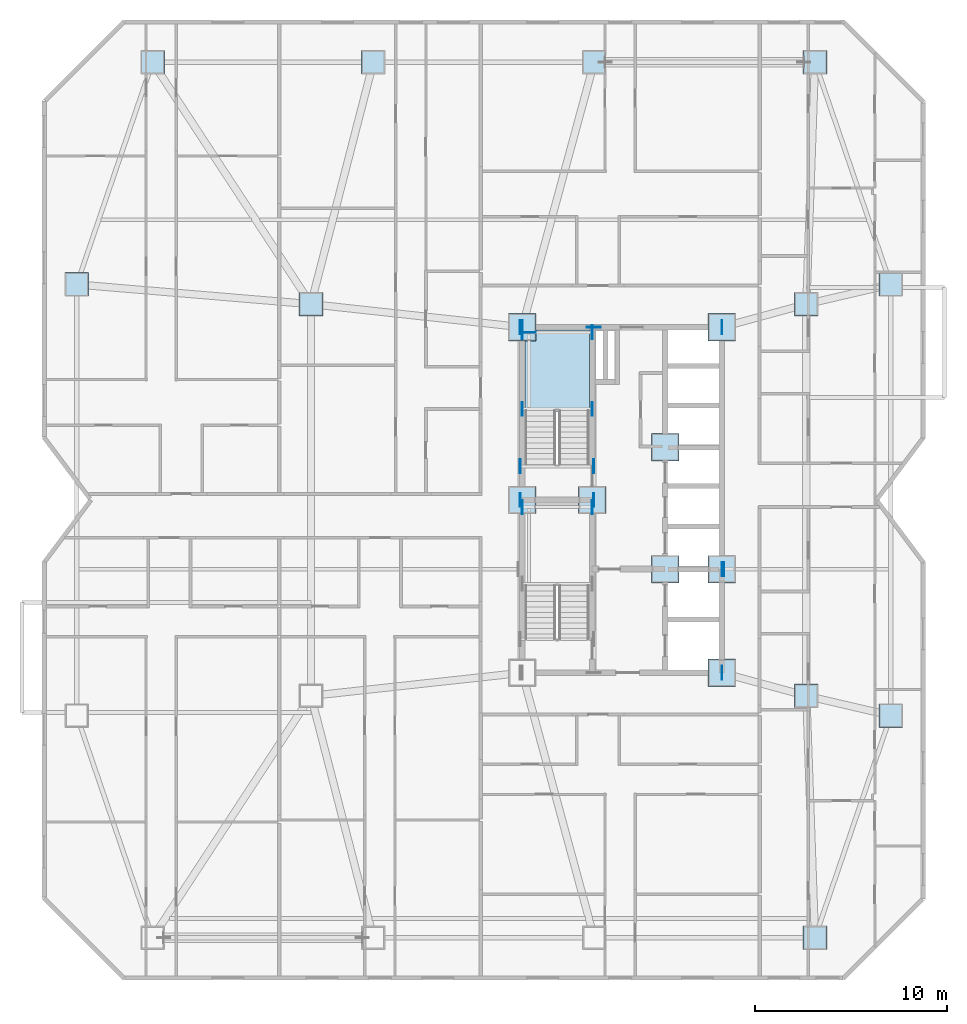
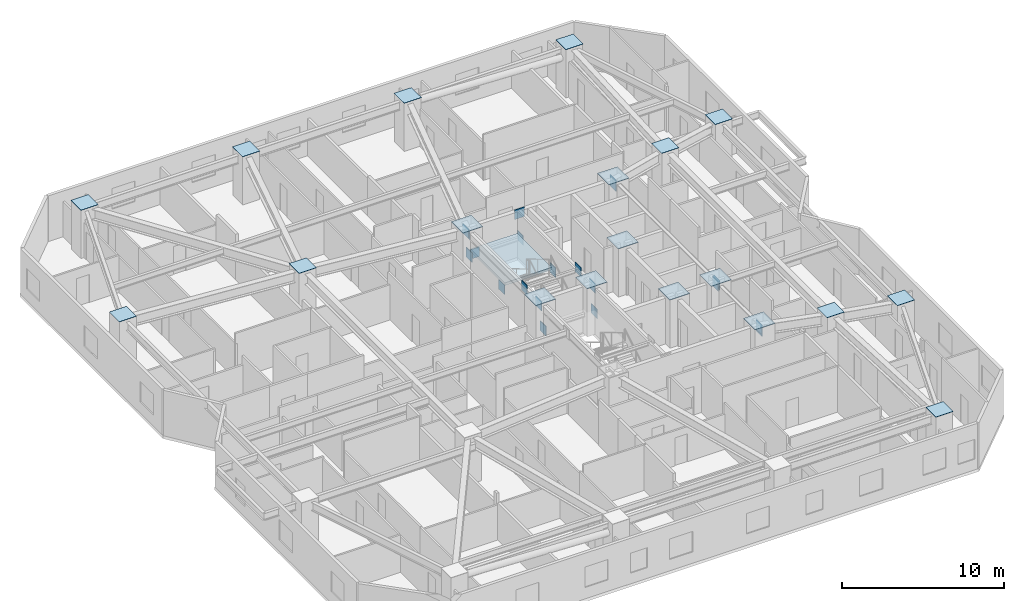
# One storey, part 4 of 14: 39 plates, 1 slab, 1 element without a shape of its own.
"""IFC4 building model written with IfcOpenShell, lengths in metres."""

from ifc_helpers import new_model, si_unit, direction, frame, origin, origin_2d, place, context, subcontext, project, spatial, polyline, rectangle, outline, extrude, material, layer, layer_set, type_object, element, aggregate, save


model = new_model("IFC4")

# Units and contexts
model_context = context("Model", 3, precision=1e-05, world=origin(), true_north=direction((0.0, 1.0)))
body_context = subcontext(model_context, "Body", "Model", "MODEL_VIEW")
ifc_project = project(units=[si_unit("LENGTHUNIT", "METRE"), si_unit("AREAUNIT", "SQUARE_METRE"), si_unit("VOLUMEUNIT", "CUBIC_METRE"), si_unit("PLANEANGLEUNIT", "RADIAN"), si_unit("MASSUNIT", "GRAM", prefix="KILO")], contexts=[model_context])

# Site, building, storey
site_placement = place(None, origin())
site = spatial("IfcSite", under=ifc_project, at=site_placement, CompositionType="ELEMENT")
building_placement = place(site_placement, origin())
building = spatial("IfcBuilding", under=site, at=building_placement, Name="Khamvora Tower", CompositionType="ELEMENT")
storey_placement = place(building_placement, frame((0.0, 0.0, 40.60009765625)))
storey = spatial("IfcBuildingStorey", under=building, at=storey_placement, Name="L09", CompositionType="ELEMENT", Elevation=40.60009765625)

# Plates
ifc_material_1 = material(Name="Steel S355", Category="steel")
ifc_layer_1 = layer(ifc_material_1, 0.02490234375)
ifc_layer_set_1 = layer_set([ifc_layer_1], Name="Steel S355")
plate_type_1 = type_object("IfcPlateType", Name="PL-CAP-25", PredefinedType="SHEET", material=ifc_layer_set_1)
for number, where, z_axis, x_axis, name in (
    (1, (32.64990234375, 28.0, 3.62451171875), (0.0, 0.0, 1.0), (1.0, 0.0, 0.0), "L09 hollow section steel end cap plate 0007"),
    (2, (39.39990234375, 19.0, 3.62451171875), (0.0, 0.0, 1.0), (1.0, 0.0, 0.0), "L09 hollow section steel end cap plate 0013"),
    (3, (29.0, 28.0, 3.62451171875), (0.0, 0.0, 1.0), (1.0, 0.0, 0.0), "L09 hollow section steel end cap plate 0019"),
    (4, (36.449951171875, 24.39990234375, 3.62451171875), (0.0, 0.0, 1.0), (1.0, 0.0, 0.0), "L09 hollow section steel end cap plate 0025"),
    (5, (39.39990234375, 24.39990234375, 3.62451171875), (0.0, 0.0, 1.0), (1.0, 0.0, 0.0), "L09 hollow section steel end cap plate 0031"),
    (6, (29.0, 37.0, 3.62451171875), (0.0, 0.0, 1.0), (1.0, 0.0, 0.0), "L09 hollow section steel end cap plate 0037"),
    (7, (36.449951171875, 30.75, 3.62451171875), (0.0, 0.0, 1.0), (1.0, 0.0, 0.0), "L09 hollow section steel end cap plate 0043"),
    (8, (39.39990234375, 37.0, 3.62451171875), (0.0, 0.0, 1.0), (1.0, 0.0, 0.0), "L09 hollow section steel end cap plate 0049"),
):
    element("IfcPlate", number, at=place(storey_placement, frame(where, z_axis=z_axis, x_axis=x_axis)), inside=storey, type_object=plate_type_1, Name=name, PredefinedType="SHEET", context=body_context, shape_type="SweptSolid", body=[
        extrude(rectangle(XDim=1.429931640625, YDim=1.429931640625, at=origin_2d()), origin(), (0.0, 0.0, 1.0), 0.02490234375),
    ])
for number, where, z_axis, x_axis, name in (
    (9, (44.25, 5.199951171875, 3.62451171875), (0.0, 0.0, 1.0), (1.0, 0.0, 0.0), "L09 hollow section steel end cap plate 0093"),
    (10, (9.75, 50.800048828125, 3.62451171875), (0.0, 0.0, 1.0), (1.0, 0.0, 0.0), "L09 hollow section steel end cap plate 0097"),
    (11, (21.25, 50.800048828125, 3.62451171875), (0.0, 0.0, 1.0), (1.0, 0.0, 0.0), "L09 hollow section steel end cap plate 0101"),
    (12, (32.75, 50.800048828125, 3.62451171875), (0.0, 0.0, 1.0), (1.0, 0.0, 0.0), "L09 hollow section steel end cap plate 0105"),
    (13, (44.25, 50.800048828125, 3.62451171875), (0.0, 0.0, 1.0), (1.0, 0.0, 0.0), "L09 hollow section steel end cap plate 0109"),
    (14, (5.800048828125, 39.22998046875, 3.62451171875), (0.0, 0.0, 1.0), (1.0, 0.0, 0.0), "L09 hollow section steel end cap plate 0117"),
    (15, (48.199951171875, 16.77001953125, 3.62451171875), (0.0, 0.0, 1.0), (1.0, 0.0, 0.0), "L09 hollow section steel end cap plate 0121"),
    (16, (48.199951171875, 39.22998046875, 3.62451171875), (0.0, 0.0, 1.0), (1.0, 0.0, 0.0), "L09 hollow section steel end cap plate 0125"),
    (17, (18.0, 38.199951171875, 3.62451171875), (0.0, 0.0, 1.0), (1.0, 0.0, 0.0), "L09 hollow section steel end cap plate 0134"),
    (18, (43.800048828125, 17.800048828125, 3.62451171875), (0.0, 0.0, 1.0), (1.0, 0.0, 0.0), "L09 hollow section steel end cap plate 0139"),
    (19, (43.800048828125, 38.199951171875, 3.62451171875), (0.0, 0.0, 1.0), (1.0, 0.0, 0.0), "L09 hollow section steel end cap plate 0143"),
):
    element("IfcPlate", number, at=place(storey_placement, frame(where, z_axis=z_axis, x_axis=x_axis)), inside=storey, type_object=plate_type_1, Name=name, PredefinedType="SHEET", context=body_context, shape_type="SweptSolid", body=[
        extrude(rectangle(XDim=1.22998046875, YDim=1.22998046875, at=origin_2d()), origin(), (0.0, 0.0, 1.0), 0.02490234375),
    ])
ifc_material_2 = material(Name="Steel S460", Category="steel")
ifc_layer_2 = layer(ifc_material_2, 0.034912109375)
ifc_layer_set_2 = layer_set([ifc_layer_2], Name="Steel S460")
plate_type_2 = type_object("IfcPlateType", Name="PL-EMB-35", PredefinedType="SHEET", material=ifc_layer_set_2)
for number, where, z_axis, x_axis, name in (
    (20, (29.0, 27.6298828125, 1.1337890625), (0.0, 0.0, 1.0), (1.0, 0.0, 0.0), "L09 core shear wall cast-in embed plate 0284"),
    (21, (32.64990234375, 27.6298828125, 1.1337890625), (0.0, 0.0, 1.0), (1.0, 0.0, 0.0), "L09 core shear wall cast-in embed plate 0285"),
    (22, (29.0, 32.735107421875, 1.1337890625), (0.0, 0.0, 1.0), (1.0, 0.0, 0.0), "L09 core shear wall cast-in embed plate 0286"),
    (23, (32.64990234375, 32.735107421875, 1.1337890625), (0.0, 0.0, 1.0), (1.0, 0.0, 0.0), "L09 core shear wall cast-in embed plate 0287"),
    (24, (29.0, 36.72998046875, 1.1337890625), (0.0, 0.0, 1.0), (1.0, 0.0, 0.0), "L09 core shear wall cast-in embed plate 0288"),
    (25, (32.64990234375, 36.72998046875, 1.1337890625), (0.0, 0.0, 1.0), (1.0, 0.0, 0.0), "L09 core shear wall cast-in embed plate 0289"),
):
    element("IfcPlate", number, at=place(storey_placement, frame(where, z_axis=z_axis, x_axis=x_axis)), inside=storey, type_object=plate_type_2, Name=name, PredefinedType="SHEET", context=body_context, shape_type="SweptSolid", body=[
        extrude(rectangle(XDim=0.034912109375, YDim=0.719970703125, at=origin_2d()), origin(), (0.0, 0.0, 1.0), 0.719970703125),
    ])
plate_1_placement = place(storey_placement, frame((29.35009765625, 36.72998046875, 1.1337890625), z_axis=(0.0, 0.0, 1.0), x_axis=(1.0, 0.0, 0.0)))
element("IfcPlate", 26, at=plate_1_placement, inside=storey, type_object=plate_type_2, Name="L09 core shear wall cast-in embed plate 0290", PredefinedType="SHEET", context=body_context, shape_type="SweptSolid", body=[
    extrude(rectangle(XDim=0.719970703125, YDim=0.034912109375, at=origin_2d()), origin(), (0.0, 0.0, 1.0), 0.719970703125),
])
for number, where, z_axis, x_axis, name in (
    (27, (29.0, 37.0, 2.68408203125), (0.0, 0.0, 1.0), (1.0, 0.0, 0.0), "L09 core shear wall cast-in embed plate 0292"),
    (28, (39.39990234375, 19.0, 2.68408203125), (0.0, 0.0, 1.0), (1.0, 0.0, 0.0), "L09 core shear wall cast-in embed plate 0293"),
    (29, (39.39990234375, 37.0, 2.68408203125), (0.0, 0.0, 1.0), (1.0, 0.0, 0.0), "L09 core shear wall cast-in embed plate 0294"),
    (30, (28.89990234375, 28.0, 2.8037109375), (0.0, 0.0, 1.0), (1.0, 0.0, 0.0), "L09 core shear wall cast-in embed plate 0296"),
    (31, (28.89990234375, 37.0, 2.8037109375), (0.0, 0.0, 1.0), (1.0, 0.0, 0.0), "L09 core shear wall cast-in embed plate 0297"),
    (32, (32.72998046875, 28.0, 2.8037109375), (0.0, 0.0, 1.0), (1.0, 0.0, 0.0), "L09 core shear wall cast-in embed plate 0299"),
):
    element("IfcPlate", number, at=place(storey_placement, frame(where, z_axis=z_axis, x_axis=x_axis)), inside=storey, type_object=plate_type_2, Name=name, PredefinedType="SHEET", context=body_context, shape_type="SweptSolid", body=[
        extrude(rectangle(XDim=0.034912109375, YDim=0.719970703125, at=origin_2d()), origin(), (0.0, 0.0, 1.0), 0.719970703125),
    ])
plate_2_placement = place(storey_placement, frame((32.72998046875, 37.0, 2.8037109375), z_axis=(0.0, 0.0, 1.0), x_axis=(1.0, 0.0, 0.0)))
element("IfcPlate", 33, at=plate_2_placement, inside=storey, type_object=plate_type_2, Name="L09 core shear wall cast-in embed plate 0300", PredefinedType="SHEET", context=body_context, shape_type="SweptSolid", body=[
    extrude(rectangle(XDim=0.719970703125, YDim=0.034912109375, at=origin_2d()), origin(), (0.0, 0.0, 1.0), 0.719970703125),
])
for number, where, z_axis, x_axis, name in (
    (34, (39.39990234375, 19.0, 2.8037109375), (0.0, 0.0, 1.0), (1.0, 0.0, 0.0), "L09 core shear wall cast-in embed plate 0301"),
    (35, (39.39990234375, 24.39990234375, 2.8037109375), (0.0, 0.0, 1.0), (1.0, 0.0, 0.0), "L09 core shear wall cast-in embed plate 0302"),
    (36, (39.39990234375, 37.0, 2.8037109375), (0.0, 0.0, 1.0), (1.0, 0.0, 0.0), "L09 core shear wall cast-in embed plate 0303"),
    (37, (28.89990234375, 29.75, 2.94384765625), (0.0, 0.0, 1.0), (1.0, 0.0, 0.0), "L09 core shear wall cast-in embed plate 0306"),
    (38, (32.72998046875, 29.75, 2.94384765625), (0.0, 0.0, 1.0), (1.0, 0.0, 0.0), "L09 core shear wall cast-in embed plate 0307"),
    (39, (39.4990234375, 24.39990234375, 2.8388671875), (0.0, 0.0, 1.0), (1.0, 0.0, 0.0), "L09 core shear wall cast-in embed plate 0309"),
):
    element("IfcPlate", number, at=place(storey_placement, frame(where, z_axis=z_axis, x_axis=x_axis)), inside=storey, type_object=plate_type_2, Name=name, PredefinedType="SHEET", context=body_context, shape_type="SweptSolid", body=[
        extrude(rectangle(XDim=0.034912109375, YDim=0.719970703125, at=origin_2d()), origin(), (0.0, 0.0, 1.0), 0.719970703125),
    ])

# Stair, slab
ifc_material_3 = material(Name="Concrete C40/50", Category="concrete")
stair_type = type_object("IfcStairType", Name="STR-ST-02", PredefinedType="HALF_TURN_STAIR", material=ifc_material_3)
stair_placement = place(storey_placement, origin())
stair = element("IfcStair", 40, at=stair_placement, inside=storey, type_object=stair_type, Name="L09 North Tower Exit Stair ST-02", PredefinedType="HALF_TURN_STAIR")
ifc_layer_3 = layer(ifc_material_3, 0.199951171875)
ifc_layer_set_3 = layer_set([ifc_layer_3], Name="Concrete C40/50")
slab_type = type_object("IfcSlabType", Name="SLB-LND-200", PredefinedType="LANDING", material=ifc_layer_set_3)
slab_placement = place(storey_placement, frame((0.0, 0.0, 1.625)))
slab = element("IfcSlab", 41, at=slab_placement, type_object=slab_type, Name="ST-02 landing 1", PredefinedType="LANDING", context=body_context, shape_type="SweptSolid", body=[
    extrude(outline(polyline([(32.5, 32.614990234375), (32.5, 36.85009765625), (29.14990234375, 36.85009765625), (29.14990234375, 32.614990234375), (32.5, 32.614990234375)])), origin(), (0.0, 0.0, 1.0), 0.199951171875),
])
aggregate(stair, [slab])

save(model, "model.ifc")
